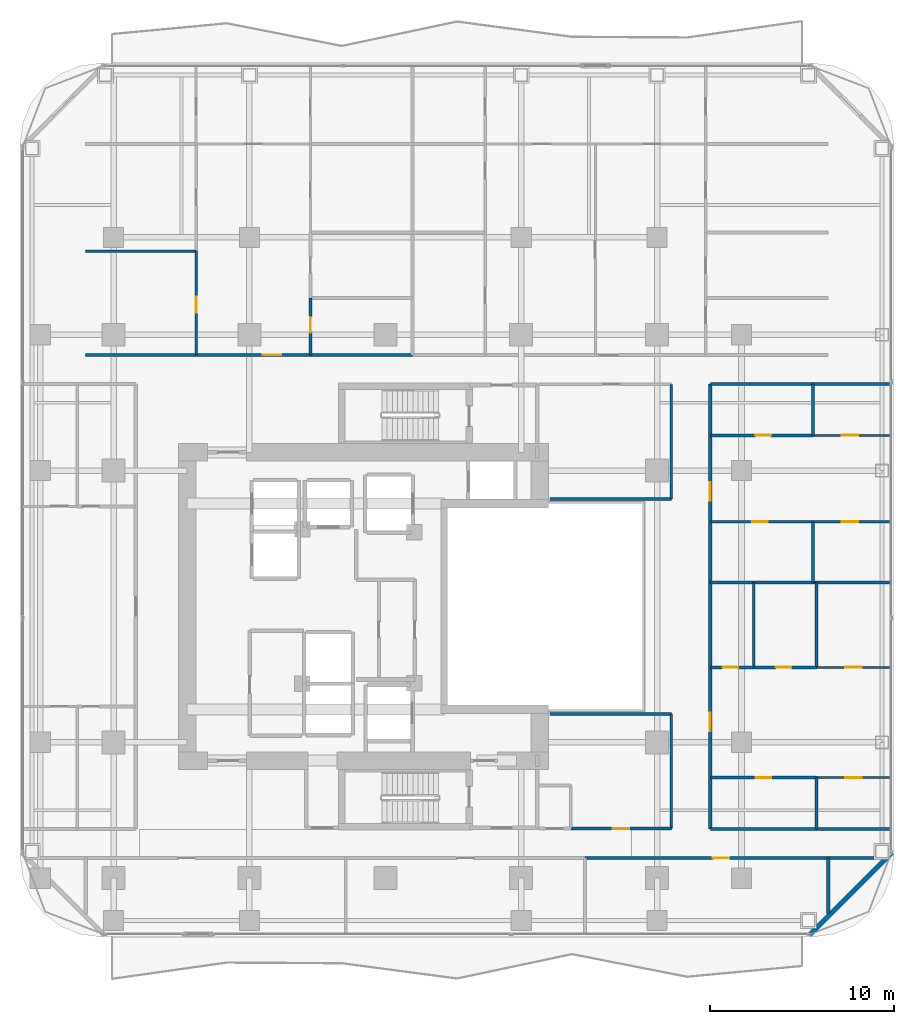
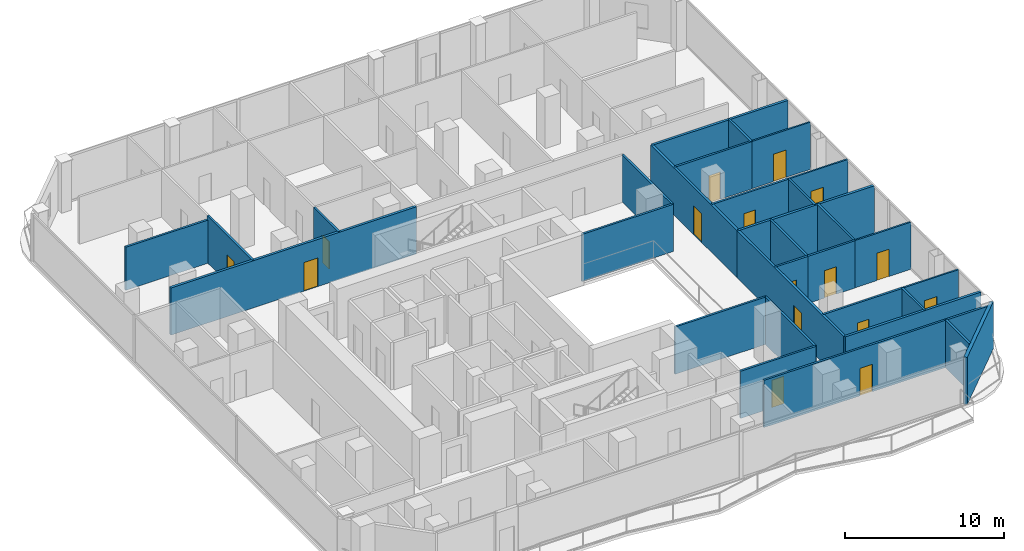
# One storey, part 22 of 27: 31 walls, 16 doors, 16 openings.
"""IFC4 building model written with IfcOpenShell, lengths in metres."""

from ifc_helpers import new_model, si_unit, direction, frame, frame_2d, origin, place, context, subcontext, project, spatial, rectangle, extrude, material, layer, layer_set, type_object, element, fill, save


model = new_model("IFC4")

# Units and contexts
model_context = context("Model", 3, precision=1e-05, world=origin(), true_north=direction((0.0, 1.0)))
body_context = subcontext(model_context, "Body", "Model", "MODEL_VIEW")
ifc_project = project(units=[si_unit("LENGTHUNIT", "METRE"), si_unit("AREAUNIT", "SQUARE_METRE"), si_unit("VOLUMEUNIT", "CUBIC_METRE"), si_unit("PLANEANGLEUNIT", "RADIAN"), si_unit("MASSUNIT", "GRAM", prefix="KILO")], contexts=[model_context])

# Site, building, storey
site_placement = place(None, origin())
site = spatial("IfcSite", under=ifc_project, at=site_placement, CompositionType="ELEMENT")
building_placement = place(site_placement, origin())
building = spatial("IfcBuilding", under=site, at=building_placement, Name="Khorvyn Point Tower", CompositionType="ELEMENT")
storey_placement = place(building_placement, frame((0.0, 0.0, 132.89990234375)))
storey = spatial("IfcBuildingStorey", under=building, at=storey_placement, Name="L33", CompositionType="ELEMENT", Elevation=132.89990234375)

# Wall, opening, door
ifc_material_1 = material(Name="Double acoustic gypsum on twin steel stud", Category="steel")
ifc_layer_1 = layer(ifc_material_1, 0.179931640625)
ifc_layer_set_1 = layer_set([ifc_layer_1], Name="Acoustic Double-Stud Apartment Demising Wall 180")
wall_type_1 = type_object("IfcWallType", Name="Acoustic Double-Stud Apartment Demising Wall 180", PredefinedType="PARTITIONING", material=ifc_layer_set_1)
wall_1_placement = place(storey_placement, frame((-16.320068359375, 13.699951171875, 0.0), z_axis=(0.0, 0.0, 1.0), x_axis=(1.0, 0.0, 0.0)))
wall_1 = element("IfcWall", 1, at=wall_1_placement, inside=storey, type_object=wall_type_1, Name="Wall", PredefinedType="PARTITIONING", context=body_context, shape_type="SweptSolid", body=[
    extrude(rectangle(XDim=17.794189453125, YDim=0.179931640625, at=frame_2d((8.89697265625, 0.0))), origin(), (0.0, 0.0, 1.0), 3.6201171875),
])
opening_1_placement = place(wall_1_placement, frame((9.650390625, 0.0, 0.0)))
opening_1 = element("IfcOpeningElement", 2, at=opening_1_placement, cuts=wall_1, Name="Opening ID-AP60", PredefinedType="OPENING", context=body_context, shape_type="SweptSolid", body=[
    extrude(rectangle(XDim=1.0, YDim=2.199951171875, at=frame_2d((0.5, 1.10009765625))), frame((0.0, 0.099853515625, 0.0), z_axis=(0.0, -1.0, 0.0), x_axis=(1.0, 0.0, 0.0)), (0.0, 0.0, 1.0), 0.199951171875),
])
ifc_material_2 = material(Name="Engineered hardwood fire-rated leaf", Category="wood")
door_type_1 = type_object("IfcDoorType", Name="Acoustic Solid-Core Timber Apartment Entrance Door 1000x2200", OperationType="NOTDEFINED", PredefinedType="DOOR", material=ifc_material_2)
door_1_placement = place(opening_1_placement, origin())
door_1 = element("IfcDoor", 3, at=door_1_placement, inside=storey, type_object=door_type_1, Name="Door", OperationType="SINGLE_SWING_LEFT", OverallHeight=2.199951171875, OverallWidth=1.0, PredefinedType="DOOR", context=body_context, shape_type="SweptSolid", body=[
    extrude(rectangle(XDim=1.0, YDim=2.199951171875, at=frame_2d((0.5, 1.10009765625))), frame((0.0, 0.02490234375, 0.0), z_axis=(0.0, -1.0, 0.0), x_axis=(1.0, 0.0, 0.0)), (0.0, 0.0, 1.0), 0.050048828125),
])
fill(opening_1, door_1)

wall_2_placement = place(storey_placement, frame((17.699951171875, -12.1201171875, 0.0), z_axis=(0.0, 0.0, 1.0), x_axis=(0.0, 1.0, 0.0)))
wall_2 = element("IfcWall", 4, at=wall_2_placement, inside=storey, type_object=wall_type_1, Name="Wall", PredefinedType="PARTITIONING", context=body_context, shape_type="SweptSolid", body=[
    extrude(rectangle(XDim=13.42919921875, YDim=0.179931640625, at=frame_2d((6.714599609375, 0.0))), origin(), (0.0, 0.0, 1.0), 3.6201171875),
])
opening_2_placement = place(wall_2_placement, frame((5.32421875, 0.0, 0.0)))
opening_2 = element("IfcOpeningElement", 5, at=opening_2_placement, cuts=wall_2, Name="Opening ID-AP60", PredefinedType="OPENING", context=body_context, shape_type="SweptSolid", body=[
    extrude(rectangle(XDim=1.0, YDim=2.199951171875, at=frame_2d((0.5, 1.10009765625))), frame((0.0, 0.099853515625, 0.0), z_axis=(0.0, -1.0, 0.0), x_axis=(1.0, 0.0, 0.0)), (0.0, 0.0, 1.0), 0.199951171875),
])
door_2_placement = place(opening_2_placement, origin())
door_2 = element("IfcDoor", 6, at=door_2_placement, inside=storey, type_object=door_type_1, Name="Door", OperationType="SINGLE_SWING_LEFT", OverallHeight=2.199951171875, OverallWidth=1.0, PredefinedType="DOOR", context=body_context, shape_type="SweptSolid", body=[
    extrude(rectangle(XDim=1.0, YDim=2.199951171875, at=frame_2d((0.5, 1.10009765625))), frame((0.0, 0.02490234375, 0.0), z_axis=(0.0, -1.0, 0.0), x_axis=(1.0, 0.0, 0.0)), (0.0, 0.0, 1.0), 0.050048828125),
])
fill(opening_2, door_2)

wall_3_placement = place(storey_placement, frame((17.699951171875, 1.30908203125, 0.0), z_axis=(0.0, 0.0, 1.0), x_axis=(0.0, 1.0, 0.0)))
wall_3 = element("IfcWall", 7, at=wall_3_placement, inside=storey, type_object=wall_type_1, Name="Wall", PredefinedType="PARTITIONING", context=body_context, shape_type="SweptSolid", body=[
    extrude(rectangle(XDim=10.81103515625, YDim=0.179931640625, at=frame_2d((5.405517578125, 0.0))), origin(), (0.0, 0.0, 1.0), 3.6201171875),
])
opening_3_placement = place(wall_3_placement, frame((4.457763671875, 0.0, 0.0)))
opening_3 = element("IfcOpeningElement", 8, at=opening_3_placement, cuts=wall_3, Name="Opening ID-AP60", PredefinedType="OPENING", context=body_context, shape_type="SweptSolid", body=[
    extrude(rectangle(XDim=1.0, YDim=2.199951171875, at=frame_2d((0.5, 1.10009765625))), frame((0.0, 0.099853515625, 0.0), z_axis=(0.0, -1.0, 0.0), x_axis=(1.0, 0.0, 0.0)), (0.0, 0.0, 1.0), 0.199951171875),
])
door_3_placement = place(opening_3_placement, origin())
door_3 = element("IfcDoor", 9, at=door_3_placement, inside=storey, type_object=door_type_1, Name="Door", OperationType="SINGLE_SWING_LEFT", OverallHeight=2.199951171875, OverallWidth=1.0, PredefinedType="DOOR", context=body_context, shape_type="SweptSolid", body=[
    extrude(rectangle(XDim=1.0, YDim=2.199951171875, at=frame_2d((0.5, 1.10009765625))), frame((0.0, 0.02490234375, 0.0), z_axis=(0.0, -1.0, 0.0), x_axis=(1.0, 0.0, 0.0)), (0.0, 0.0, 1.0), 0.050048828125),
])
fill(opening_3, door_3)

# Walls
wall_4_placement = place(storey_placement, frame((24.1201171875, -16.7099609375, 0.0), z_axis=(0.0, 0.0, 1.0), x_axis=(0.0, 1.0, 0.0)))
element("IfcWall", 10, at=wall_4_placement, inside=storey, type_object=wall_type_1, Name="Wall", PredefinedType="PARTITIONING", context=body_context, shape_type="SweptSolid", body=[
    extrude(rectangle(XDim=3.010009765625, YDim=0.179931640625, at=frame_2d((1.5048828125, 0.0))), origin(), (0.0, 0.0, 1.0), 3.6201171875),
])
for number, where, z_axis, x_axis, name in (
    (11, (17.699951171875, 1.30908203125, 0.0), (0.0, 0.0, 1.0), (1.0, 0.0, 0.0), "Wall"),
    (12, (17.699951171875, -12.1201171875, 0.0), (0.0, 0.0, 1.0), (1.0, 0.0, 0.0), "Wall"),
    (13, (17.699951171875, 12.1201171875, 0.0), (0.0, 0.0, 1.0), (1.0, 0.0, 0.0), "Wall"),
):
    element("IfcWall", number, at=place(storey_placement, frame(where, z_axis=z_axis, x_axis=x_axis)), inside=storey, type_object=wall_type_1, Name=name, PredefinedType="PARTITIONING", context=body_context, shape_type="SweptSolid", body=[
        extrude(rectangle(XDim=9.830078125, YDim=0.179931640625, at=frame_2d((4.9150390625, 0.0))), origin(), (0.0, 0.0, 1.0), 3.6201171875),
    ])
ifc_material_3 = material(Name="Pale anodised aluminium rainscreen on steel stud", Category="steel")
ifc_layer_2 = layer(ifc_material_3, 0.239990234375)
ifc_layer_set_2 = layer_set([ifc_layer_2], Name="Anodised Aluminium Insulated Corner Spandrel Wall 240")
wall_type_2 = type_object("IfcWallType", Name="Anodised Aluminium Insulated Corner Spandrel Wall 240", PredefinedType="SOLIDWALL", material=ifc_layer_set_2)
wall_5_placement = place(storey_placement, frame((27.59228515625, -13.40771484375, 0.0), z_axis=(0.0, 0.0, 1.0), x_axis=(-0.707106781187, -0.707106781187, 0.0)))
element("IfcWall", 14, at=wall_5_placement, inside=storey, type_object=wall_type_2, Name="L33 Rounded Corner Wall SE", PredefinedType="SOLIDWALL", context=body_context, shape_type="SweptSolid", body=[
    extrude(rectangle(XDim=6.34228515625, YDim=0.239990234375, at=frame_2d((3.171142578125, 0.0))), origin(), (0.0, 0.0, 1.0), 3.6201171875),
])

# Wall, opening, door
ifc_material_4 = material(Name="Gypsum plasterboard on steel stud", Category="steel")
ifc_layer_3 = layer(ifc_material_4, 0.1201171875)
ifc_layer_set_3 = layer_set([ifc_layer_3], Name="Gypsum Acoustic Stud Room Partition Wall 120")
wall_type_3 = type_object("IfcWallType", Name="Gypsum Acoustic Stud Room Partition Wall 120", PredefinedType="PARTITIONING", material=ifc_layer_set_3)
wall_6_placement = place(storey_placement, frame((23.486083984375, -9.320068359375, 0.0), z_axis=(0.0, 0.0, 1.0), x_axis=(1.0, 0.0, 0.0)))
wall_6 = element("IfcWall", 15, at=wall_6_placement, inside=storey, type_object=wall_type_3, Name="Wall", PredefinedType="PARTITIONING", context=body_context, shape_type="SweptSolid", body=[
    extrude(rectangle(XDim=4.0439453125, YDim=0.1201171875, at=frame_2d((2.02197265625, 0.0))), origin(), (0.0, 0.0, 1.0), 3.6201171875),
])
opening_4_placement = place(wall_6_placement, frame((1.572021484375, 0.0, 0.0)))
opening_4 = element("IfcOpeningElement", 16, at=opening_4_placement, cuts=wall_6, Name="Opening ID-RM90", PredefinedType="OPENING", context=body_context, shape_type="SweptSolid", body=[
    extrude(rectangle(XDim=0.89990234375, YDim=2.10009765625, at=frame_2d((0.449951171875, 1.050048828125))), frame((0.0, 0.070068359375, 0.0), z_axis=(0.0, -1.0, 0.0), x_axis=(1.0, 0.0, 0.0)), (0.0, 0.0, 1.0), 0.14013671875),
])
ifc_material_5 = material(Name="Engineered oak veneer timber", Category="wood")
door_type_2 = type_object("IfcDoorType", Name="Flush Engineered Timber Room Door 900x2100", OperationType="NOTDEFINED", PredefinedType="DOOR", material=ifc_material_5)
door_4_placement = place(opening_4_placement, origin())
door_4 = element("IfcDoor", 17, at=door_4_placement, inside=storey, type_object=door_type_2, Name="Door", OperationType="SINGLE_SWING_LEFT", OverallHeight=2.10009765625, OverallWidth=0.89990234375, PredefinedType="DOOR", context=body_context, shape_type="SweptSolid", body=[
    extrude(rectangle(XDim=0.89990234375, YDim=2.10009765625, at=frame_2d((0.449951171875, 1.050048828125))), frame((0.0, 0.02490234375, 0.0), z_axis=(0.0, -1.0, 0.0), x_axis=(1.0, 0.0, 0.0)), (0.0, 0.0, 1.0), 0.050048828125),
])
fill(opening_4, door_4)

wall_7_placement = place(storey_placement, frame((23.486083984375, -3.31689453125, 0.0), z_axis=(0.0, 0.0, 1.0), x_axis=(1.0, 0.0, 0.0)))
wall_7 = element("IfcWall", 18, at=wall_7_placement, inside=storey, type_object=wall_type_3, Name="Wall", PredefinedType="PARTITIONING", context=body_context, shape_type="SweptSolid", body=[
    extrude(rectangle(XDim=4.0439453125, YDim=0.1201171875, at=frame_2d((2.02197265625, 0.0))), origin(), (0.0, 0.0, 1.0), 3.6201171875),
])
opening_5_placement = place(wall_7_placement, frame((1.572021484375, 0.0, 0.0)))
opening_5 = element("IfcOpeningElement", 19, at=opening_5_placement, cuts=wall_7, Name="Opening ID-RM90", PredefinedType="OPENING", context=body_context, shape_type="SweptSolid", body=[
    extrude(rectangle(XDim=0.89990234375, YDim=2.10009765625, at=frame_2d((0.449951171875, 1.050048828125))), frame((0.0, 0.070068359375, 0.0), z_axis=(0.0, -1.0, 0.0), x_axis=(1.0, 0.0, 0.0)), (0.0, 0.0, 1.0), 0.14013671875),
])
door_5_placement = place(opening_5_placement, origin())
door_5 = element("IfcDoor", 20, at=door_5_placement, inside=storey, type_object=door_type_2, Name="Door", OperationType="SINGLE_SWING_RIGHT", OverallHeight=2.10009765625, OverallWidth=0.89990234375, PredefinedType="DOOR", context=body_context, shape_type="SweptSolid", body=[
    extrude(rectangle(XDim=0.89990234375, YDim=2.10009765625, at=frame_2d((0.449951171875, 1.050048828125))), frame((0.0, 0.02490234375, 0.0), z_axis=(0.0, -1.0, 0.0), x_axis=(1.0, 0.0, 0.0)), (0.0, 0.0, 1.0), 0.050048828125),
])
fill(opening_5, door_5)

wall_8_placement = place(storey_placement, frame((23.2900390625, 4.612060546875, 0.0), z_axis=(0.0, 0.0, 1.0), x_axis=(1.0, 0.0, 0.0)))
wall_8 = element("IfcWall", 21, at=wall_8_placement, inside=storey, type_object=wall_type_3, Name="Wall", PredefinedType="PARTITIONING", context=body_context, shape_type="SweptSolid", body=[
    extrude(rectangle(XDim=4.239990234375, YDim=0.1201171875, at=frame_2d((2.1201171875, 0.0))), origin(), (0.0, 0.0, 1.0), 3.6201171875),
])
opening_6_placement = place(wall_8_placement, frame((1.581298828125, 0.0, 0.0)))
opening_6 = element("IfcOpeningElement", 22, at=opening_6_placement, cuts=wall_8, Name="Opening ID-RM90", PredefinedType="OPENING", context=body_context, shape_type="SweptSolid", body=[
    extrude(rectangle(XDim=0.89990234375, YDim=2.10009765625, at=frame_2d((0.449951171875, 1.050048828125))), frame((0.0, 0.070068359375, 0.0), z_axis=(0.0, -1.0, 0.0), x_axis=(1.0, 0.0, 0.0)), (0.0, 0.0, 1.0), 0.14013671875),
])
door_6_placement = place(opening_6_placement, origin())
door_6 = element("IfcDoor", 23, at=door_6_placement, inside=storey, type_object=door_type_2, Name="Door", OperationType="SINGLE_SWING_RIGHT", OverallHeight=2.10009765625, OverallWidth=0.89990234375, PredefinedType="DOOR", context=body_context, shape_type="SweptSolid", body=[
    extrude(rectangle(XDim=0.89990234375, YDim=2.10009765625, at=frame_2d((0.449951171875, 1.050048828125))), frame((0.0, 0.02490234375, 0.0), z_axis=(0.0, -1.0, 0.0), x_axis=(1.0, 0.0, 0.0)), (0.0, 0.0, 1.0), 0.050048828125),
])
fill(opening_6, door_6)

wall_9_placement = place(storey_placement, frame((23.2900390625, 9.320068359375, 0.0), z_axis=(0.0, 0.0, 1.0), x_axis=(1.0, 0.0, 0.0)))
wall_9 = element("IfcWall", 24, at=wall_9_placement, inside=storey, type_object=wall_type_3, Name="Wall", PredefinedType="PARTITIONING", context=body_context, shape_type="SweptSolid", body=[
    extrude(rectangle(XDim=4.239990234375, YDim=0.1201171875, at=frame_2d((2.1201171875, 0.0))), origin(), (0.0, 0.0, 1.0), 3.6201171875),
])
opening_7_placement = place(wall_9_placement, frame((1.581298828125, 0.0, 0.0)))
opening_7 = element("IfcOpeningElement", 25, at=opening_7_placement, cuts=wall_9, Name="Opening ID-RM90", PredefinedType="OPENING", context=body_context, shape_type="SweptSolid", body=[
    extrude(rectangle(XDim=0.89990234375, YDim=2.10009765625, at=frame_2d((0.449951171875, 1.050048828125))), frame((0.0, 0.070068359375, 0.0), z_axis=(0.0, -1.0, 0.0), x_axis=(1.0, 0.0, 0.0)), (0.0, 0.0, 1.0), 0.14013671875),
])
door_7_placement = place(opening_7_placement, origin())
door_7 = element("IfcDoor", 26, at=door_7_placement, inside=storey, type_object=door_type_2, Name="Door", OperationType="SINGLE_SWING_LEFT", OverallHeight=2.10009765625, OverallWidth=0.89990234375, PredefinedType="DOOR", context=body_context, shape_type="SweptSolid", body=[
    extrude(rectangle(XDim=0.89990234375, YDim=2.10009765625, at=frame_2d((0.449951171875, 1.050048828125))), frame((0.0, 0.02490234375, 0.0), z_axis=(0.0, -1.0, 0.0), x_axis=(1.0, 0.0, 0.0)), (0.0, 0.0, 1.0), 0.050048828125),
])
fill(opening_7, door_7)

ifc_material_6 = material(Name="Moisture-resistant gypsum and cement board", Category="gypsum")
ifc_layer_4 = layer(ifc_material_6, 0.14990234375)
ifc_layer_set_4 = layer_set([ifc_layer_4], Name="Moisture-Resistant Wet-Room Partition Wall 150")
wall_type_4 = type_object("IfcWallType", Name="Moisture-Resistant Wet-Room Partition Wall 150", PredefinedType="PARTITIONING", material=ifc_layer_set_4)
wall_10_placement = place(storey_placement, frame((10.10009765625, -12.10009765625, 0.0), z_axis=(0.0, 0.0, 1.0), x_axis=(1.0, 0.0, 0.0)))
wall_10 = element("IfcWall", 27, at=wall_10_placement, inside=storey, type_object=wall_type_4, Name="Wall", PredefinedType="PARTITIONING", context=body_context, shape_type="SweptSolid", body=[
    extrude(rectangle(XDim=5.47998046875, YDim=0.14990234375, at=frame_2d((2.739990234375, 0.0))), origin(), (0.0, 0.0, 1.0), 3.6201171875),
])
opening_8_placement = place(wall_10_placement, frame((2.2900390625, 0.0, 0.0)))
opening_8 = element("IfcOpeningElement", 28, at=opening_8_placement, cuts=wall_10, Name="Opening ID-RM90", PredefinedType="OPENING", context=body_context, shape_type="SweptSolid", body=[
    extrude(rectangle(XDim=0.89990234375, YDim=2.10009765625, at=frame_2d((0.449951171875, 1.050048828125))), frame((0.0, 0.0849609375, 0.0), z_axis=(0.0, -1.0, 0.0), x_axis=(1.0, 0.0, 0.0)), (0.0, 0.0, 1.0), 0.169921875),
])
door_8_placement = place(opening_8_placement, origin())
door_8 = element("IfcDoor", 29, at=door_8_placement, inside=storey, type_object=door_type_2, Name="Door", OperationType="SINGLE_SWING_LEFT", OverallHeight=2.10009765625, OverallWidth=0.89990234375, PredefinedType="DOOR", context=body_context, shape_type="SweptSolid", body=[
    extrude(rectangle(XDim=0.89990234375, YDim=2.10009765625, at=frame_2d((0.449951171875, 1.050048828125))), frame((0.0, 0.02490234375, 0.0), z_axis=(0.0, -1.0, 0.0), x_axis=(1.0, 0.0, 0.0)), (0.0, 0.0, 1.0), 0.050048828125),
])
fill(opening_8, door_8)

wall_11_placement = place(storey_placement, frame((-10.305908203125, 13.699951171875, 0.0), z_axis=(0.0, 0.0, 1.0), x_axis=(0.0, 1.0, 0.0)))
wall_11 = element("IfcWall", 30, at=wall_11_placement, inside=storey, type_object=wall_type_4, Name="Wall", PredefinedType="PARTITIONING", context=body_context, shape_type="SweptSolid", body=[
    extrude(rectangle(XDim=5.653076171875, YDim=0.14990234375, at=frame_2d((2.82666015625, 0.0))), origin(), (0.0, 0.0, 1.0), 3.6201171875),
])
opening_9_placement = place(wall_11_placement, frame((2.311767578125, 0.0, 0.0)))
opening_9 = element("IfcOpeningElement", 31, at=opening_9_placement, cuts=wall_11, Name="Opening ID-WC85", PredefinedType="OPENING", context=body_context, shape_type="SweptSolid", body=[
    extrude(rectangle(XDim=0.85009765625, YDim=2.10009765625, at=frame_2d((0.425048828125, 1.050048828125))), frame((0.0, 0.0849609375, 0.0), z_axis=(0.0, -1.0, 0.0), x_axis=(1.0, 0.0, 0.0)), (0.0, 0.0, 1.0), 0.169921875),
])
ifc_material_7 = material(Name="High-pressure laminate on moisture-resistant core", Category="wood")
door_type_3 = type_object("IfcDoorType", Name="Moisture-Resistant Accessible Washroom Door 850x2100", OperationType="NOTDEFINED", PredefinedType="DOOR", material=ifc_material_7)
door_9_placement = place(opening_9_placement, origin())
door_9 = element("IfcDoor", 32, at=door_9_placement, inside=storey, type_object=door_type_3, Name="Door", OperationType="SINGLE_SWING_LEFT", OverallHeight=2.10009765625, OverallWidth=0.85009765625, PredefinedType="DOOR", context=body_context, shape_type="SweptSolid", body=[
    extrude(rectangle(XDim=0.85009765625, YDim=2.10009765625, at=frame_2d((0.425048828125, 1.050048828125))), frame((0.0, 0.02490234375, 0.0), z_axis=(0.0, -1.0, 0.0), x_axis=(1.0, 0.0, 0.0)), (0.0, 0.0, 1.0), 0.050048828125),
])
fill(opening_9, door_9)

wall_12_placement = place(storey_placement, frame((-4.077880859375, 13.699951171875, 0.0), z_axis=(0.0, 0.0, 1.0), x_axis=(0.0, 1.0, 0.0)))
wall_12 = element("IfcWall", 33, at=wall_12_placement, inside=storey, type_object=wall_type_4, Name="Wall", PredefinedType="PARTITIONING", context=body_context, shape_type="SweptSolid", body=[
    extrude(rectangle(XDim=3.10205078125, YDim=0.14990234375, at=frame_2d((1.551025390625, 0.0))), origin(), (0.0, 0.0, 1.0), 3.6201171875),
])
opening_10_placement = place(wall_12_placement, frame((1.2138671875, 0.0, 0.0)))
opening_10 = element("IfcOpeningElement", 34, at=opening_10_placement, cuts=wall_12, Name="Opening ID-WC85", PredefinedType="OPENING", context=body_context, shape_type="SweptSolid", body=[
    extrude(rectangle(XDim=0.85009765625, YDim=2.10009765625, at=frame_2d((0.425048828125, 1.050048828125))), frame((0.0, 0.0849609375, 0.0), z_axis=(0.0, -1.0, 0.0), x_axis=(1.0, 0.0, 0.0)), (0.0, 0.0, 1.0), 0.169921875),
])
door_10_placement = place(opening_10_placement, origin())
door_10 = element("IfcDoor", 35, at=door_10_placement, inside=storey, type_object=door_type_3, Name="Door", OperationType="SINGLE_SWING_RIGHT", OverallHeight=2.10009765625, OverallWidth=0.85009765625, PredefinedType="DOOR", context=body_context, shape_type="SweptSolid", body=[
    extrude(rectangle(XDim=0.85009765625, YDim=2.10009765625, at=frame_2d((0.425048828125, 1.050048828125))), frame((0.0, 0.02490234375, 0.0), z_axis=(0.0, -1.0, 0.0), x_axis=(1.0, 0.0, 0.0)), (0.0, 0.0, 1.0), 0.050048828125),
])
fill(opening_10, door_10)

wall_13_placement = place(storey_placement, frame((10.881103515625, -13.699951171875, 0.0), z_axis=(0.0, 0.0, 1.0), x_axis=(1.0, 0.0, 0.0)))
wall_13 = element("IfcWall", 36, at=wall_13_placement, inside=storey, type_object=wall_type_4, Name="Wall", PredefinedType="PARTITIONING", context=body_context, shape_type="SweptSolid", body=[
    extrude(rectangle(XDim=16.248779296875, YDim=0.14990234375, at=frame_2d((8.12451171875, 0.0))), origin(), (0.0, 0.0, 1.0), 3.6201171875),
])
opening_11_placement = place(wall_13_placement, frame((6.958740234375, 0.0, 0.0)))
opening_11 = element("IfcOpeningElement", 37, at=opening_11_placement, cuts=wall_13, Name="Opening ID-RM90", PredefinedType="OPENING", context=body_context, shape_type="SweptSolid", body=[
    extrude(rectangle(XDim=0.89990234375, YDim=2.10009765625, at=frame_2d((0.449951171875, 1.050048828125))), frame((0.0, 0.0849609375, 0.0), z_axis=(0.0, -1.0, 0.0), x_axis=(1.0, 0.0, 0.0)), (0.0, 0.0, 1.0), 0.169921875),
])
door_11_placement = place(opening_11_placement, origin())
door_11 = element("IfcDoor", 38, at=door_11_placement, inside=storey, type_object=door_type_2, Name="Door", OperationType="SINGLE_SWING_LEFT", OverallHeight=2.10009765625, OverallWidth=0.89990234375, PredefinedType="DOOR", context=body_context, shape_type="SweptSolid", body=[
    extrude(rectangle(XDim=0.89990234375, YDim=2.10009765625, at=frame_2d((0.449951171875, 1.050048828125))), frame((0.0, 0.02490234375, 0.0), z_axis=(0.0, -1.0, 0.0), x_axis=(1.0, 0.0, 0.0)), (0.0, 0.0, 1.0), 0.050048828125),
])
fill(opening_11, door_11)

wall_14_placement = place(storey_placement, frame((17.699951171875, -3.31689453125, 0.0), z_axis=(0.0, 0.0, 1.0), x_axis=(1.0, 0.0, 0.0)))
wall_14 = element("IfcWall", 39, at=wall_14_placement, inside=storey, type_object=wall_type_4, Name="Wall", PredefinedType="PARTITIONING", context=body_context, shape_type="SweptSolid", body=[
    extrude(rectangle(XDim=2.3720703125, YDim=0.14990234375, at=frame_2d((1.18603515625, 0.0))), origin(), (0.0, 0.0, 1.0), 3.6201171875),
])
opening_12_placement = place(wall_14_placement, frame((0.675048828125, 0.0, 0.0)))
opening_12 = element("IfcOpeningElement", 40, at=opening_12_placement, cuts=wall_14, Name="Opening ID-WC85", PredefinedType="OPENING", context=body_context, shape_type="SweptSolid", body=[
    extrude(rectangle(XDim=0.85009765625, YDim=2.10009765625, at=frame_2d((0.425048828125, 1.050048828125))), frame((0.0, 0.0849609375, 0.0), z_axis=(0.0, -1.0, 0.0), x_axis=(1.0, 0.0, 0.0)), (0.0, 0.0, 1.0), 0.169921875),
])
door_12_placement = place(opening_12_placement, origin())
door_12 = element("IfcDoor", 41, at=door_12_placement, inside=storey, type_object=door_type_3, Name="Door", OperationType="SINGLE_SWING_RIGHT", OverallHeight=2.10009765625, OverallWidth=0.85009765625, PredefinedType="DOOR", context=body_context, shape_type="SweptSolid", body=[
    extrude(rectangle(XDim=0.85009765625, YDim=2.10009765625, at=frame_2d((0.425048828125, 1.050048828125))), frame((0.0, 0.02490234375, 0.0), z_axis=(0.0, -1.0, 0.0), x_axis=(1.0, 0.0, 0.0)), (0.0, 0.0, 1.0), 0.050048828125),
])
fill(opening_12, door_12)

wall_15_placement = place(storey_placement, frame((20.072021484375, -3.31689453125, 0.0), z_axis=(0.0, 0.0, 1.0), x_axis=(1.0, 0.0, 0.0)))
wall_15 = element("IfcWall", 42, at=wall_15_placement, inside=storey, type_object=wall_type_4, Name="Wall", PredefinedType="PARTITIONING", context=body_context, shape_type="SweptSolid", body=[
    extrude(rectangle(XDim=3.4140625, YDim=0.14990234375, at=frame_2d((1.70703125, 0.0))), origin(), (0.0, 0.0, 1.0), 3.6201171875),
])
opening_13_placement = place(wall_15_placement, frame((1.19580078125, 0.0, 0.0)))
opening_13 = element("IfcOpeningElement", 43, at=opening_13_placement, cuts=wall_15, Name="Opening ID-WC85", PredefinedType="OPENING", context=body_context, shape_type="SweptSolid", body=[
    extrude(rectangle(XDim=0.85009765625, YDim=2.10009765625, at=frame_2d((0.425048828125, 1.050048828125))), frame((0.0, 0.0849609375, 0.0), z_axis=(0.0, -1.0, 0.0), x_axis=(1.0, 0.0, 0.0)), (0.0, 0.0, 1.0), 0.169921875),
])
door_13_placement = place(opening_13_placement, origin())
door_13 = element("IfcDoor", 44, at=door_13_placement, inside=storey, type_object=door_type_3, Name="Door", OperationType="SINGLE_SWING_LEFT", OverallHeight=2.10009765625, OverallWidth=0.85009765625, PredefinedType="DOOR", context=body_context, shape_type="SweptSolid", body=[
    extrude(rectangle(XDim=0.85009765625, YDim=2.10009765625, at=frame_2d((0.425048828125, 1.050048828125))), frame((0.0, 0.02490234375, 0.0), z_axis=(0.0, -1.0, 0.0), x_axis=(1.0, 0.0, 0.0)), (0.0, 0.0, 1.0), 0.050048828125),
])
fill(opening_13, door_13)

wall_16_placement = place(storey_placement, frame((17.699951171875, -9.320068359375, 0.0), z_axis=(0.0, 0.0, 1.0), x_axis=(1.0, 0.0, 0.0)))
wall_16 = element("IfcWall", 45, at=wall_16_placement, inside=storey, type_object=wall_type_4, Name="Wall", PredefinedType="PARTITIONING", context=body_context, shape_type="SweptSolid", body=[
    extrude(rectangle(XDim=5.7861328125, YDim=0.14990234375, at=frame_2d((2.89306640625, 0.0))), origin(), (0.0, 0.0, 1.0), 3.6201171875),
])
opening_14_placement = place(wall_16_placement, frame((2.468017578125, 0.0, 0.0)))
opening_14 = element("IfcOpeningElement", 46, at=opening_14_placement, cuts=wall_16, Name="Opening ID-WC85", PredefinedType="OPENING", context=body_context, shape_type="SweptSolid", body=[
    extrude(rectangle(XDim=0.85009765625, YDim=2.10009765625, at=frame_2d((0.425048828125, 1.050048828125))), frame((0.0, 0.0849609375, 0.0), z_axis=(0.0, -1.0, 0.0), x_axis=(1.0, 0.0, 0.0)), (0.0, 0.0, 1.0), 0.169921875),
])
door_14_placement = place(opening_14_placement, origin())
door_14 = element("IfcDoor", 47, at=door_14_placement, inside=storey, type_object=door_type_3, Name="Door", OperationType="SINGLE_SWING_RIGHT", OverallHeight=2.10009765625, OverallWidth=0.85009765625, PredefinedType="DOOR", context=body_context, shape_type="SweptSolid", body=[
    extrude(rectangle(XDim=0.85009765625, YDim=2.10009765625, at=frame_2d((0.425048828125, 1.050048828125))), frame((0.0, 0.02490234375, 0.0), z_axis=(0.0, -1.0, 0.0), x_axis=(1.0, 0.0, 0.0)), (0.0, 0.0, 1.0), 0.050048828125),
])
fill(opening_14, door_14)

wall_17_placement = place(storey_placement, frame((17.699951171875, 9.320068359375, 0.0), z_axis=(0.0, 0.0, 1.0), x_axis=(1.0, 0.0, 0.0)))
wall_17 = element("IfcWall", 48, at=wall_17_placement, inside=storey, type_object=wall_type_4, Name="Wall", PredefinedType="PARTITIONING", context=body_context, shape_type="SweptSolid", body=[
    extrude(rectangle(XDim=5.590087890625, YDim=0.14990234375, at=frame_2d((2.794921875, 0.0))), origin(), (0.0, 0.0, 1.0), 3.6201171875),
])
opening_15_placement = place(wall_17_placement, frame((2.45849609375, 0.0, 0.0)))
opening_15 = element("IfcOpeningElement", 49, at=opening_15_placement, cuts=wall_17, Name="Opening ID-WC85", PredefinedType="OPENING", context=body_context, shape_type="SweptSolid", body=[
    extrude(rectangle(XDim=0.85009765625, YDim=2.10009765625, at=frame_2d((0.425048828125, 1.050048828125))), frame((0.0, 0.0849609375, 0.0), z_axis=(0.0, -1.0, 0.0), x_axis=(1.0, 0.0, 0.0)), (0.0, 0.0, 1.0), 0.169921875),
])
door_15_placement = place(opening_15_placement, origin())
door_15 = element("IfcDoor", 50, at=door_15_placement, inside=storey, type_object=door_type_3, Name="Door", OperationType="SINGLE_SWING_RIGHT", OverallHeight=2.10009765625, OverallWidth=0.85009765625, PredefinedType="DOOR", context=body_context, shape_type="SweptSolid", body=[
    extrude(rectangle(XDim=0.85009765625, YDim=2.10009765625, at=frame_2d((0.425048828125, 1.050048828125))), frame((0.0, 0.02490234375, 0.0), z_axis=(0.0, -1.0, 0.0), x_axis=(1.0, 0.0, 0.0)), (0.0, 0.0, 1.0), 0.050048828125),
])
fill(opening_15, door_15)

wall_18_placement = place(storey_placement, frame((17.699951171875, 4.612060546875, 0.0), z_axis=(0.0, 0.0, 1.0), x_axis=(1.0, 0.0, 0.0)))
wall_18 = element("IfcWall", 51, at=wall_18_placement, inside=storey, type_object=wall_type_4, Name="Wall", PredefinedType="PARTITIONING", context=body_context, shape_type="SweptSolid", body=[
    extrude(rectangle(XDim=5.590087890625, YDim=0.14990234375, at=frame_2d((2.794921875, 0.0))), origin(), (0.0, 0.0, 1.0), 3.6201171875),
])
opening_16_placement = place(wall_18_placement, frame((2.281494140625, 0.0, 0.0)))
opening_16 = element("IfcOpeningElement", 52, at=opening_16_placement, cuts=wall_18, Name="Opening ID-WC85", PredefinedType="OPENING", context=body_context, shape_type="SweptSolid", body=[
    extrude(rectangle(XDim=0.85009765625, YDim=2.10009765625, at=frame_2d((0.425048828125, 1.050048828125))), frame((0.0, 0.0849609375, 0.0), z_axis=(0.0, -1.0, 0.0), x_axis=(1.0, 0.0, 0.0)), (0.0, 0.0, 1.0), 0.169921875),
])
door_16_placement = place(opening_16_placement, origin())
door_16 = element("IfcDoor", 53, at=door_16_placement, inside=storey, type_object=door_type_3, Name="Door", OperationType="SINGLE_SWING_LEFT", OverallHeight=2.10009765625, OverallWidth=0.85009765625, PredefinedType="DOOR", context=body_context, shape_type="SweptSolid", body=[
    extrude(rectangle(XDim=0.85009765625, YDim=2.10009765625, at=frame_2d((0.425048828125, 1.050048828125))), frame((0.0, 0.02490234375, 0.0), z_axis=(0.0, -1.0, 0.0), x_axis=(1.0, 0.0, 0.0)), (0.0, 0.0, 1.0), 0.050048828125),
])
fill(opening_16, door_16)

# Walls
wall_19_placement = place(storey_placement, frame((15.580078125, -12.10009765625, 0.0), z_axis=(0.0, 0.0, 1.0), x_axis=(0.0, 1.0, 0.0)))
element("IfcWall", 54, at=wall_19_placement, inside=storey, type_object=wall_type_4, Name="Wall", PredefinedType="PARTITIONING", context=body_context, shape_type="SweptSolid", body=[
    extrude(rectangle(XDim=6.25, YDim=0.14990234375, at=frame_2d((3.125, 0.0))), origin(), (0.0, 0.0, 1.0), 3.6201171875),
])
wall_20_placement = place(storey_placement, frame((8.9599609375, -5.85009765625, 0.0), z_axis=(0.0, 0.0, 1.0), x_axis=(1.0, 0.0, 0.0)))
element("IfcWall", 55, at=wall_20_placement, inside=storey, type_object=wall_type_4, Name="Wall", PredefinedType="PARTITIONING", context=body_context, shape_type="SweptSolid", body=[
    extrude(rectangle(XDim=6.6201171875, YDim=0.14990234375, at=frame_2d((3.31005859375, 0.0))), origin(), (0.0, 0.0, 1.0), 3.6201171875),
])
wall_21_placement = place(storey_placement, frame((15.580078125, 5.85009765625, 0.0), z_axis=(0.0, 0.0, 1.0), x_axis=(0.0, 1.0, 0.0)))
element("IfcWall", 56, at=wall_21_placement, inside=storey, type_object=wall_type_4, Name="Wall", PredefinedType="PARTITIONING", context=body_context, shape_type="SweptSolid", body=[
    extrude(rectangle(XDim=6.25, YDim=0.14990234375, at=frame_2d((3.125, 0.0))), origin(), (0.0, 0.0, 1.0), 3.6201171875),
])
wall_22_placement = place(storey_placement, frame((8.9599609375, 5.85009765625, 0.0), z_axis=(0.0, 0.0, 1.0), x_axis=(1.0, 0.0, 0.0)))
element("IfcWall", 57, at=wall_22_placement, inside=storey, type_object=wall_type_4, Name="Wall", PredefinedType="PARTITIONING", context=body_context, shape_type="SweptSolid", body=[
    extrude(rectangle(XDim=6.6201171875, YDim=0.14990234375, at=frame_2d((3.31005859375, 0.0))), origin(), (0.0, 0.0, 1.0), 3.6201171875),
])
wall_23_placement = place(storey_placement, frame((-16.320068359375, 19.35302734375, 0.0), z_axis=(0.0, 0.0, 1.0), x_axis=(1.0, 0.0, 0.0)))
element("IfcWall", 58, at=wall_23_placement, inside=storey, type_object=wall_type_4, Name="Wall", PredefinedType="PARTITIONING", context=body_context, shape_type="SweptSolid", body=[
    extrude(rectangle(XDim=6.01416015625, YDim=0.14990234375, at=frame_2d((3.007080078125, 0.0))), origin(), (0.0, 0.0, 1.0), 3.31005859375),
])
wall_24_placement = place(storey_placement, frame((20.072021484375, -3.31689453125, 0.0), z_axis=(0.0, 0.0, 1.0), x_axis=(0.0, 1.0, 0.0)))
element("IfcWall", 59, at=wall_24_placement, inside=storey, type_object=wall_type_4, Name="Wall", PredefinedType="PARTITIONING", context=body_context, shape_type="SweptSolid", body=[
    extrude(rectangle(XDim=4.6259765625, YDim=0.14990234375, at=frame_2d((2.31298828125, 0.0))), origin(), (0.0, 0.0, 1.0), 3.6201171875),
])
wall_25_placement = place(storey_placement, frame((23.486083984375, -12.1201171875, 0.0), z_axis=(0.0, 0.0, 1.0), x_axis=(0.0, 1.0, 0.0)))
element("IfcWall", 60, at=wall_25_placement, inside=storey, type_object=wall_type_4, Name="Wall", PredefinedType="PARTITIONING", context=body_context, shape_type="SweptSolid", body=[
    extrude(rectangle(XDim=2.800048828125, YDim=0.14990234375, at=frame_2d((1.39990234375, 0.0))), origin(), (0.0, 0.0, 1.0), 3.6201171875),
])
wall_26_placement = place(storey_placement, frame((23.486083984375, -3.31689453125, 0.0), z_axis=(0.0, 0.0, 1.0), x_axis=(0.0, 1.0, 0.0)))
element("IfcWall", 61, at=wall_26_placement, inside=storey, type_object=wall_type_4, Name="Wall", PredefinedType="PARTITIONING", context=body_context, shape_type="SweptSolid", body=[
    extrude(rectangle(XDim=4.6259765625, YDim=0.14990234375, at=frame_2d((2.31298828125, 0.0))), origin(), (0.0, 0.0, 1.0), 3.6201171875),
])
wall_27_placement = place(storey_placement, frame((23.2900390625, 1.30908203125, 0.0), z_axis=(0.0, 0.0, 1.0), x_axis=(0.0, 1.0, 0.0)))
element("IfcWall", 62, at=wall_27_placement, inside=storey, type_object=wall_type_4, Name="Wall", PredefinedType="PARTITIONING", context=body_context, shape_type="SweptSolid", body=[
    extrude(rectangle(XDim=3.302978515625, YDim=0.14990234375, at=frame_2d((1.6513671875, 0.0))), origin(), (0.0, 0.0, 1.0), 3.6201171875),
])
wall_28_placement = place(storey_placement, frame((23.2900390625, 9.320068359375, 0.0), z_axis=(0.0, 0.0, 1.0), x_axis=(0.0, 1.0, 0.0)))
element("IfcWall", 63, at=wall_28_placement, inside=storey, type_object=wall_type_4, Name="Wall", PredefinedType="PARTITIONING", context=body_context, shape_type="SweptSolid", body=[
    extrude(rectangle(XDim=2.800048828125, YDim=0.14990234375, at=frame_2d((1.39990234375, 0.0))), origin(), (0.0, 0.0, 1.0), 3.6201171875),
])

save(model, "model.ifc")
